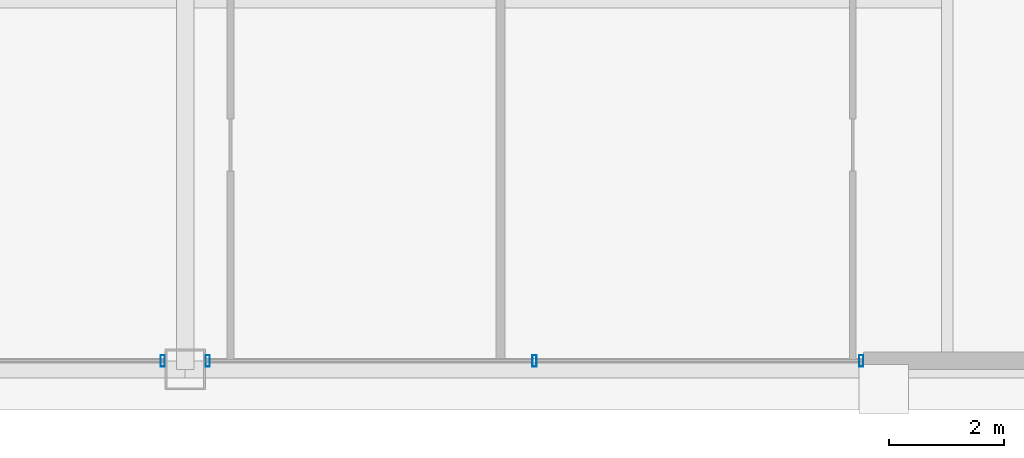
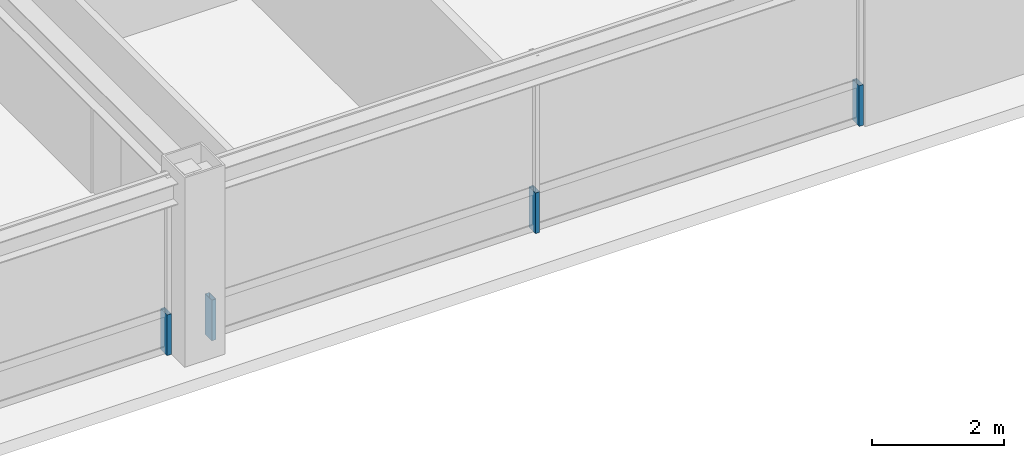
# One storey, part 23 of 35: 4 members, 2 elements without a shape of their own.
"""IFC4 building model written with IfcOpenShell, lengths in metres."""

from ifc_helpers import new_model, si_unit, direction, frame, origin, origin_2d, place, context, subcontext, project, spatial, hollow_rectangle, extrude, source, transform, mapped, material, layer, layer_set, material_profile, profile_set, type_object, element, aggregate, save


model = new_model("IFC4")

# Units and contexts
model_context = context("Model", 3, precision=1e-05, world=origin(), true_north=direction((0.0, 1.0)))
body_context = subcontext(model_context, "Body", "Model", "MODEL_VIEW")
ifc_project = project(units=[si_unit("LENGTHUNIT", "METRE"), si_unit("AREAUNIT", "SQUARE_METRE"), si_unit("VOLUMEUNIT", "CUBIC_METRE"), si_unit("PLANEANGLEUNIT", "RADIAN"), si_unit("MASSUNIT", "GRAM", prefix="KILO"), si_unit("THERMODYNAMICTEMPERATUREUNIT", "KELVIN"), si_unit("POWERUNIT", "WATT")], contexts=[model_context])

# Site, building, storey
site_placement = place(None, origin())
site = spatial("IfcSite", under=ifc_project, at=site_placement, CompositionType="ELEMENT")
building_placement = place(site_placement, origin())
building = spatial("IfcBuilding", under=site, at=building_placement, Name="Yuzanri Waterfront Tower", CompositionType="ELEMENT")
storey_placement = place(building_placement, frame((0.0, 0.0, 289.10009765625)))
storey = spatial("IfcBuildingStorey", under=building, at=storey_placement, Name="L77", CompositionType="ELEMENT", Elevation=289.10009765625)

# Curtain wall, member
ifc_material_1 = material(Name="Anodized Architectural Bronze", Category="metal")
ifc_layer = layer(ifc_material_1, 0.159912109375)
ifc_layer_set = layer_set([ifc_layer], Name="Anodized Architectural Bronze")
curtain_wall_type = type_object("IfcCurtainWallType", Name="Anodized Bronze High-Rise Penthouse High-Wind Unitized Curtain Wall 6900", PredefinedType="NOTDEFINED", material=ifc_layer_set)
curtain_wall_1_placement = place(storey_placement, origin())
curtain_wall_1 = element("IfcCurtainWall", 1, at=curtain_wall_1_placement, inside=storey, type_object=curtain_wall_type, Name="L77 Curtain Wall CW-L77-SL", PredefinedType="NOTDEFINED")
ifc_material_2 = material(Name="Anodized Architectural Bronze", Category="metal")
ifc_material_profile = material_profile(ifc_material_2, hollow_rectangle(XDim=0.074951171875, YDim=0.199951171875, WallThickness=0.00390625, at=origin_2d()), Name="CWM 75x200")
ifc_profile_set = profile_set([ifc_material_profile], Name="Anodized Architectural Bronze")
member_type = type_object("IfcMemberType", Name="Anodized Bronze Primary Curtain-Wall Mullion 75x200", PredefinedType="MULLION", material=ifc_profile_set)
shared_shape = source(origin(), body_context, "Body", "SweptSolid", [
    extrude(hollow_rectangle(XDim=0.074951171875, YDim=0.199951171875, WallThickness=0.00390625, at=origin_2d()), origin(), (0.0, 0.0, 1.0), 0.751953125),
])
member_1_placement = place(storey_placement, frame((36.610107421875, 6.85009765625, 0.0), z_axis=(0.0, 0.0, 1.0), x_axis=(1.0, 0.0, 0.0)))
member_1 = element("IfcMember", 2, at=member_1_placement, type_object=member_type, Name="CW-L77-SL Lower Mullion 02", PredefinedType="MULLION", context=body_context, shape_type="MappedRepresentation", body=[
    mapped(shared_shape, transform((0.0, 0.0, 0.0), scale=1.0)),
])
aggregate(curtain_wall_1, [member_1])

# Curtain wall, members
curtain_wall_2_placement = place(storey_placement, origin())
curtain_wall_2 = element("IfcCurtainWall", 3, at=curtain_wall_2_placement, inside=storey, type_object=curtain_wall_type, Name="L77 Curtain Wall CW-L77-SR", PredefinedType="NOTDEFINED")
member_2_placement = place(storey_placement, frame((37.389892578125, 6.85009765625, 0.0), z_axis=(0.0, 0.0, 1.0), x_axis=(1.0, 0.0, 0.0)))
member_2 = element("IfcMember", 4, at=member_2_placement, type_object=member_type, Name="CW-L77-SR Lower Mullion 00", PredefinedType="MULLION", context=body_context, shape_type="MappedRepresentation", body=[
    mapped(shared_shape, transform((0.0, 0.0, 0.0), scale=1.0)),
])
member_3_placement = place(storey_placement, frame((43.050048828125, 6.85009765625, 0.0), z_axis=(0.0, 0.0, 1.0), x_axis=(1.0, 0.0, 0.0)))
member_3 = element("IfcMember", 5, at=member_3_placement, type_object=member_type, Name="CW-L77-SR Lower Mullion 01", PredefinedType="MULLION", context=body_context, shape_type="MappedRepresentation", body=[
    mapped(shared_shape, transform((0.0, 0.0, 0.0), scale=1.0)),
])
member_4_placement = place(storey_placement, frame((48.7099609375, 6.85009765625, 0.0), z_axis=(0.0, 0.0, 1.0), x_axis=(1.0, 0.0, 0.0)))
member_4 = element("IfcMember", 6, at=member_4_placement, type_object=member_type, Name="CW-L77-SR Lower Mullion 02", PredefinedType="MULLION", context=body_context, shape_type="MappedRepresentation", body=[
    mapped(shared_shape, transform((0.0, 0.0, 0.0), scale=1.0)),
])
aggregate(curtain_wall_2, [member_2, member_3, member_4])

save(model, "model.ifc")
